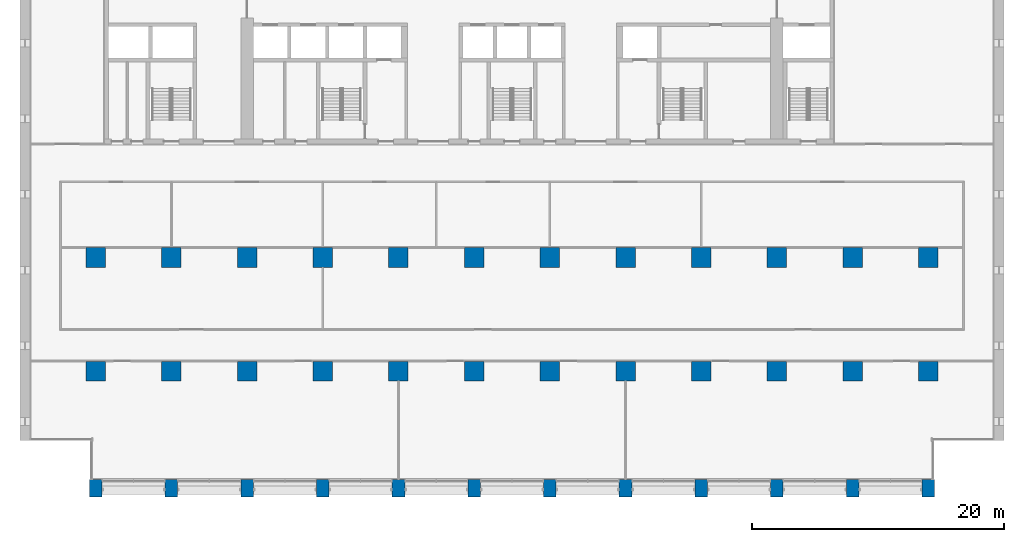
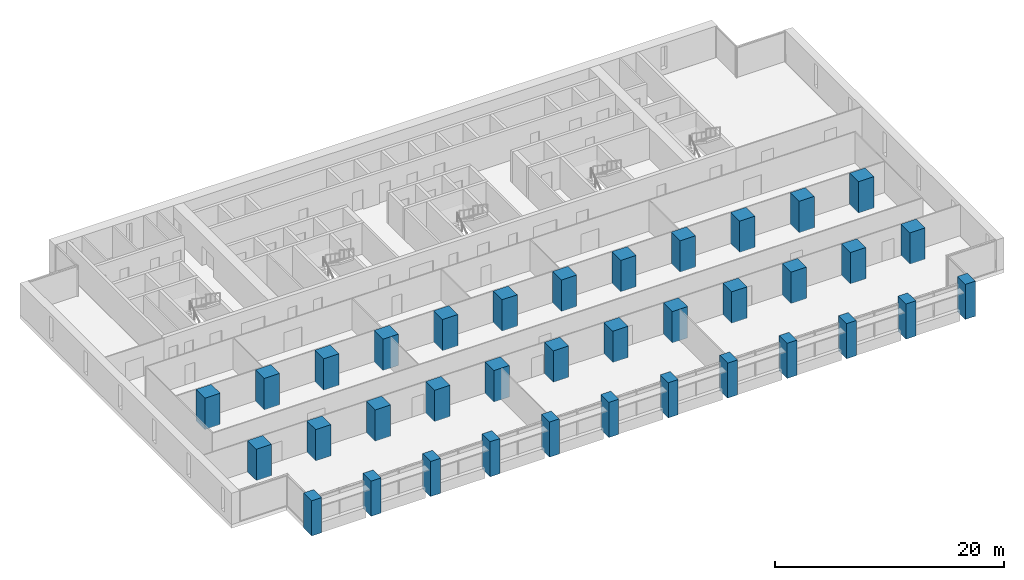
# One storey, part 1 of 17: 36 columns.
"""IFC4 building model written with IfcOpenShell, lengths in metres."""

from ifc_helpers import new_model, si_unit, direction, frame, origin, origin_2d, place, context, subcontext, project, spatial, rectangle, extrude, material, material_profile, profile_set, type_object, element, save


model = new_model("IFC4")

# Units and contexts
model_context = context("Model", 3, precision=1e-05, world=origin(), true_north=direction((0.0, 1.0)))
body_context = subcontext(model_context, "Body", "Model", "MODEL_VIEW")
ifc_project = project(units=[si_unit("LENGTHUNIT", "METRE"), si_unit("AREAUNIT", "SQUARE_METRE"), si_unit("VOLUMEUNIT", "CUBIC_METRE"), si_unit("PLANEANGLEUNIT", "RADIAN"), si_unit("MASSUNIT", "GRAM", prefix="KILO")], contexts=[model_context])

# Site, building, storey
site_placement = place(None, origin())
site = spatial("IfcSite", under=ifc_project, at=site_placement, CompositionType="ELEMENT")
building_placement = place(site_placement, origin())
building = spatial("IfcBuilding", under=site, at=building_placement, Name="Calvaro Tower", CompositionType="ELEMENT")
storey_placement = place(building_placement, frame((0.0, 0.0, 71.25)))
storey = spatial("IfcBuildingStorey", under=building, at=storey_placement, Name="L17", CompositionType="ELEMENT", Elevation=71.25)

# Columns
ifc_material_1 = material(Name="Concrete C80/95", Category="concrete")
ifc_material_profile_1 = material_profile(ifc_material_1, rectangle(XDim=1.550048828125, YDim=1.550048828125, at=origin_2d()), Name="RC 1550x1550")
ifc_profile_set_1 = profile_set([ifc_material_profile_1], Name="Concrete C80/95")
column_type_1 = type_object("IfcColumnType", Name="Column 1550x1550 C80/95", PredefinedType="COLUMN", material=ifc_profile_set_1)
for number, where, z_axis, x_axis, name in (
    (1, (6.0, 10.0, 0.0), (0.0, 0.0, 1.0), (1.0, 0.0, 0.0), "Column 2B"),
    (2, (6.0, 19.0, 0.0), (0.0, 0.0, 1.0), (1.0, 0.0, 0.0), "Column 2C"),
    (3, (12.0, 10.0, 0.0), (0.0, 0.0, 1.0), (1.0, 0.0, 0.0), "Column 3B"),
    (4, (12.0, 19.0, 0.0), (0.0, 0.0, 1.0), (1.0, 0.0, 0.0), "Column 3C"),
    (5, (18.0, 10.0, 0.0), (0.0, 0.0, 1.0), (1.0, 0.0, 0.0), "Column 4B"),
    (6, (18.0, 19.0, 0.0), (0.0, 0.0, 1.0), (1.0, 0.0, 0.0), "Column 4C"),
    (7, (24.0, 10.0, 0.0), (0.0, 0.0, 1.0), (1.0, 0.0, 0.0), "Column 5B"),
    (8, (24.0, 19.0, 0.0), (0.0, 0.0, 1.0), (1.0, 0.0, 0.0), "Column 5C"),
    (9, (30.0, 10.0, 0.0), (0.0, 0.0, 1.0), (1.0, 0.0, 0.0), "Column 6B"),
    (10, (30.0, 19.0, 0.0), (0.0, 0.0, 1.0), (1.0, 0.0, 0.0), "Column 6C"),
    (11, (36.0, 10.0, 0.0), (0.0, 0.0, 1.0), (1.0, 0.0, 0.0), "Column 7B"),
    (12, (36.0, 19.0, 0.0), (0.0, 0.0, 1.0), (1.0, 0.0, 0.0), "Column 7C"),
    (13, (42.0, 10.0, 0.0), (0.0, 0.0, 1.0), (1.0, 0.0, 0.0), "Column 8B"),
    (14, (42.0, 19.0, 0.0), (0.0, 0.0, 1.0), (1.0, 0.0, 0.0), "Column 8C"),
    (15, (48.0, 10.0, 0.0), (0.0, 0.0, 1.0), (1.0, 0.0, 0.0), "Column 9B"),
    (16, (48.0, 19.0, 0.0), (0.0, 0.0, 1.0), (1.0, 0.0, 0.0), "Column 9C"),
    (17, (54.0, 10.0, 0.0), (0.0, 0.0, 1.0), (1.0, 0.0, 0.0), "Column 10B"),
    (18, (54.0, 19.0, 0.0), (0.0, 0.0, 1.0), (1.0, 0.0, 0.0), "Column 10C"),
    (19, (60.0, 10.0, 0.0), (0.0, 0.0, 1.0), (1.0, 0.0, 0.0), "Column 11B"),
    (20, (60.0, 19.0, 0.0), (0.0, 0.0, 1.0), (1.0, 0.0, 0.0), "Column 11C"),
    (21, (66.0, 10.0, 0.0), (0.0, 0.0, 1.0), (1.0, 0.0, 0.0), "Column 12B"),
    (22, (66.0, 19.0, 0.0), (0.0, 0.0, 1.0), (1.0, 0.0, 0.0), "Column 12C"),
    (23, (72.0, 10.0, 0.0), (0.0, 0.0, 1.0), (1.0, 0.0, 0.0), "Column 13B"),
    (24, (72.0, 19.0, 0.0), (0.0, 0.0, 1.0), (1.0, 0.0, 0.0), "Column 13C"),
):
    element("IfcColumn", number, at=place(storey_placement, frame(where, z_axis=z_axis, x_axis=x_axis)), inside=storey, type_object=column_type_1, Name=name, PredefinedType="COLUMN", context=body_context, shape_type="SweptSolid", body=[
        extrude(rectangle(XDim=1.550048828125, YDim=1.550048828125, at=origin_2d()), origin(), (0.0, 0.0, 1.0), 3.35009765625),
    ])
ifc_material_2 = material(Name="Concrete C80/95", Category="concrete")
ifc_material_profile_2 = material_profile(ifc_material_2, rectangle(XDim=1.0, YDim=1.39990234375, at=origin_2d()), Name="RC 1000x1400")
ifc_profile_set_2 = profile_set([ifc_material_profile_2], Name="Concrete C80/95")
column_type_2 = type_object("IfcColumnType", Name="Pier 1000x1400 C80/95", PredefinedType="COLUMN", material=ifc_profile_set_2)
for number, where, z_axis, x_axis, name in (
    (25, (6.0, 0.699951171875, -0.39990234375), (0.0, 0.0, 1.0), (1.0, 0.0, 0.0), "South pier 2"),
    (26, (12.0, 0.699951171875, -0.39990234375), (0.0, 0.0, 1.0), (1.0, 0.0, 0.0), "South pier 3"),
    (27, (18.0, 0.699951171875, -0.39990234375), (0.0, 0.0, 1.0), (1.0, 0.0, 0.0), "South pier 4"),
    (28, (24.0, 0.699951171875, -0.39990234375), (0.0, 0.0, 1.0), (1.0, 0.0, 0.0), "South pier 5"),
    (29, (30.0, 0.699951171875, -0.39990234375), (0.0, 0.0, 1.0), (1.0, 0.0, 0.0), "South pier 6"),
    (30, (36.0, 0.699951171875, -0.39990234375), (0.0, 0.0, 1.0), (1.0, 0.0, 0.0), "South pier 7"),
    (31, (42.0, 0.699951171875, -0.39990234375), (0.0, 0.0, 1.0), (1.0, 0.0, 0.0), "South pier 8"),
    (32, (48.0, 0.699951171875, -0.39990234375), (0.0, 0.0, 1.0), (1.0, 0.0, 0.0), "South pier 9"),
    (33, (54.0, 0.699951171875, -0.39990234375), (0.0, 0.0, 1.0), (1.0, 0.0, 0.0), "South pier 10"),
    (34, (60.0, 0.699951171875, -0.39990234375), (0.0, 0.0, 1.0), (1.0, 0.0, 0.0), "South pier 11"),
    (35, (66.0, 0.699951171875, -0.39990234375), (0.0, 0.0, 1.0), (1.0, 0.0, 0.0), "South pier 12"),
    (36, (72.0, 0.699951171875, -0.39990234375), (0.0, 0.0, 1.0), (1.0, 0.0, 0.0), "South pier 13"),
):
    element("IfcColumn", number, at=place(storey_placement, frame(where, z_axis=z_axis, x_axis=x_axis)), inside=storey, type_object=column_type_2, Name=name, PredefinedType="COLUMN", context=body_context, shape_type="SweptSolid", body=[
        extrude(rectangle(XDim=1.0, YDim=1.39990234375, at=origin_2d()), origin(), (0.0, 0.0, 1.0), 3.75),
    ])

save(model, "model.ifc")
